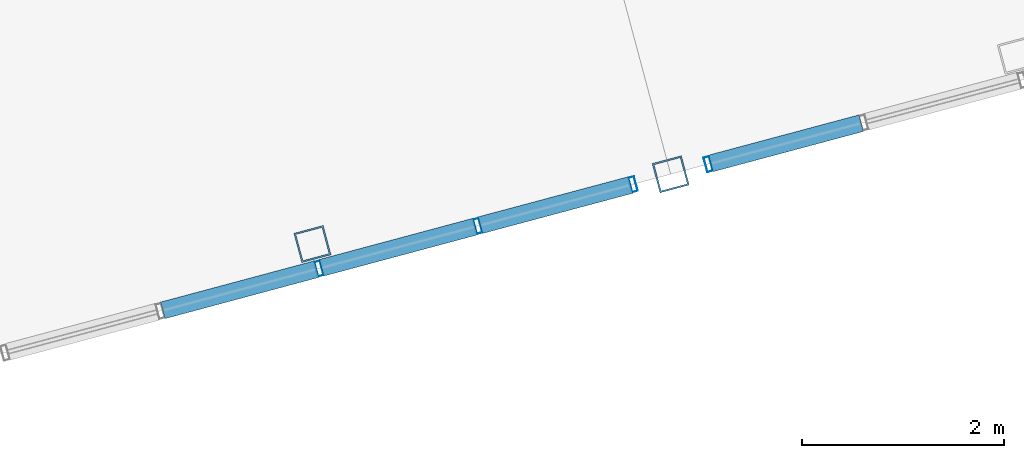
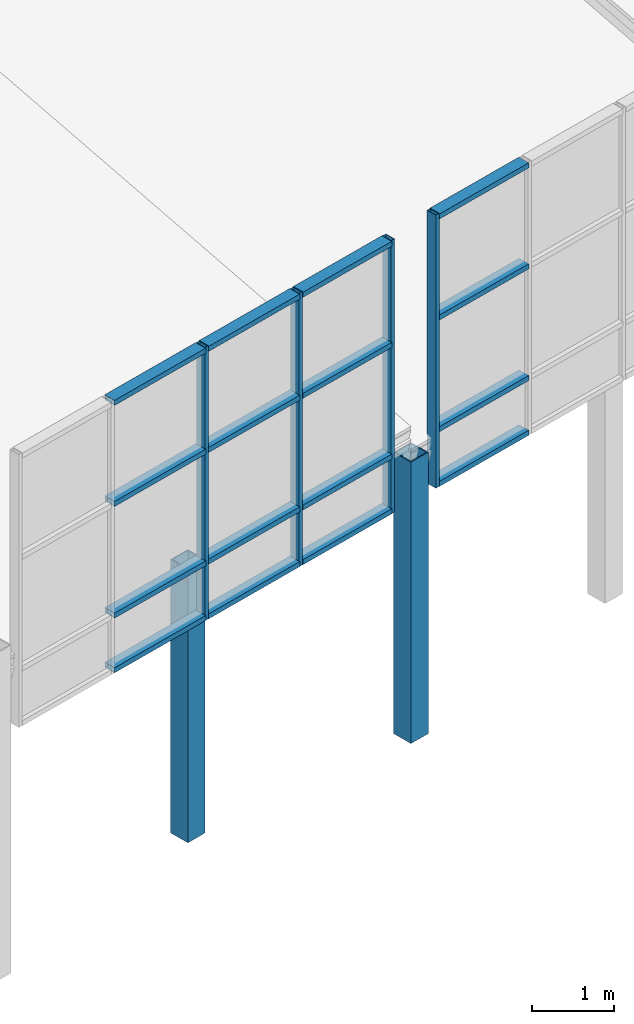
# One storey, part 5 of 28: 22 members, 2 elements without a shape of their own.
"""IFC4 building model written with IfcOpenShell, lengths in metres."""

from ifc_helpers import new_model, si_unit, direction, frame, origin, origin_2d, place, context, subcontext, project, spatial, hollow_rectangle, extrude, material, layer, layer_set, material_profile, profile_set, type_object, element, aggregate, save


model = new_model("IFC4")

# Units and contexts
model_context = context("Model", 3, precision=1e-05, world=origin(), true_north=direction((0.0, 1.0)))
body_context = subcontext(model_context, "Body", "Model", "MODEL_VIEW")
ifc_project = project(units=[si_unit("LENGTHUNIT", "METRE"), si_unit("AREAUNIT", "SQUARE_METRE"), si_unit("VOLUMEUNIT", "CUBIC_METRE"), si_unit("PLANEANGLEUNIT", "RADIAN"), si_unit("MASSUNIT", "GRAM", prefix="KILO")], contexts=[model_context])

# Site, building, storey
site_placement = place(None, origin())
site = spatial("IfcSite", under=ifc_project, at=site_placement, CompositionType="ELEMENT")
building_placement = place(site_placement, origin())
building = spatial("IfcBuilding", under=site, at=building_placement, Name="Ventoquebrada Cableway Terminal", CompositionType="ELEMENT")
storey_placement = place(building_placement, frame((0.0, 0.0, 23.39990234375)))
storey = spatial("IfcBuildingStorey", under=building, at=storey_placement, Name="RF", CompositionType="ELEMENT", Elevation=23.39990234375)

# Curtain wall, members
ifc_material_1 = material(Name="Anodized thermally-broken aluminium", Category="aluminium")
ifc_layer = layer(ifc_material_1, 0.159912109375)
ifc_layer_set = layer_set([ifc_layer], Name="Anodized thermally-broken aluminium")
curtain_wall_type = type_object("IfcCurtainWallType", Name="CW-T48", PredefinedType="USERDEFINED", material=ifc_layer_set)
curtain_wall_1_placement = place(storey_placement, origin())
curtain_wall_1 = element("IfcCurtainWall", 1, at=curtain_wall_1_placement, inside=storey, type_object=curtain_wall_type, Name="Unitised glazed curtain wall CW-152", ObjectType="UNITISED CURTAIN WALL", PredefinedType="USERDEFINED")
ifc_material_profile_1 = material_profile(ifc_material_1, hollow_rectangle(XDim=0.06005859375, YDim=0.14990234375, WallThickness=0.00390625, at=origin_2d()), Name="CW-MUL-60X150")
ifc_profile_set_1 = profile_set([ifc_material_profile_1], Name="Anodized thermally-broken aluminium")
member_type_1 = type_object("IfcMemberType", Name="CWM-03", PredefinedType="MULLION", material=ifc_profile_set_1)
member_1_placement = place(storey_placement, frame((62.409912109375, 72.5791015625, -0.06298828125), z_axis=(0.0, 0.0, 1.0), x_axis=(0.965894198369, 0.258937053273, 0.0)))
member_1 = element("IfcMember", 2, at=member_1_placement, type_object=member_type_1, Name="Curtain wall mullion FML-0739", PredefinedType="MULLION", context=body_context, shape_type="SweptSolid", body=[
    extrude(hollow_rectangle(XDim=0.06005859375, YDim=0.14990234375, WallThickness=0.00390625, at=origin_2d()), origin(), (0.0, 0.0, 1.0), 4.068115234375),
])
member_2_placement = place(storey_placement, frame((63.97998046875, 73.0, -0.06298828125), z_axis=(0.0, 0.0, 1.0), x_axis=(0.965894198369, 0.258937053273, 0.0)))
member_2 = element("IfcMember", 3, at=member_2_placement, type_object=member_type_1, Name="Curtain wall mullion FML-0740", PredefinedType="MULLION", context=body_context, shape_type="SweptSolid", body=[
    extrude(hollow_rectangle(XDim=0.06005859375, YDim=0.14990234375, WallThickness=0.00390625, at=origin_2d()), origin(), (0.0, 0.0, 1.0), 4.068115234375),
])
member_3_placement = place(storey_placement, frame((65.514892578125, 73.412109375, -0.06298828125), z_axis=(0.0, 0.0, 1.0), x_axis=(0.965894198369, 0.258937053273, 0.0)))
member_3 = element("IfcMember", 4, at=member_3_placement, type_object=member_type_1, Name="Curtain wall mullion FML-0741", PredefinedType="MULLION", context=body_context, shape_type="SweptSolid", body=[
    extrude(hollow_rectangle(XDim=0.06005859375, YDim=0.14990234375, WallThickness=0.00390625, at=origin_2d()), origin(), (0.0, 0.0, 1.0), 4.068115234375),
])

# Curtain wall, member
curtain_wall_2_placement = place(storey_placement, origin())
curtain_wall_2 = element("IfcCurtainWall", 5, at=curtain_wall_2_placement, inside=storey, type_object=curtain_wall_type, Name="Unitised glazed curtain wall CW-153", ObjectType="UNITISED CURTAIN WALL", PredefinedType="USERDEFINED")
member_4_placement = place(storey_placement, frame((66.259033203125, 73.611083984375, -0.06298828125), z_axis=(0.0, 0.0, 1.0), x_axis=(0.965943892913, 0.258751610128, 0.0)))
member_4 = element("IfcMember", 6, at=member_4_placement, type_object=member_type_1, Name="Curtain wall mullion FML-0742", PredefinedType="MULLION", context=body_context, shape_type="SweptSolid", body=[
    extrude(hollow_rectangle(XDim=0.06005859375, YDim=0.14990234375, WallThickness=0.00390625, at=origin_2d()), origin(), (0.0, 0.0, 1.0), 4.068115234375),
])

# Member
ifc_material_profile_2 = material_profile(ifc_material_1, hollow_rectangle(XDim=0.074951171875, YDim=0.169921875, WallThickness=0.00439453125, at=origin_2d()), Name="CW-TRN-75X170")
ifc_profile_set_2 = profile_set([ifc_material_profile_2], Name="Anodized thermally-broken aluminium")
member_type_2 = type_object("IfcMemberType", Name="CWT-03", PredefinedType="USERDEFINED", material=ifc_profile_set_2)
member_5_placement = place(storey_placement, frame((60.864990234375, 72.1650390625, -0.02001953125), z_axis=(0.965860816082, 0.259061544731, 0.0), x_axis=(0.0, 0.0, 1.0)))
member_5 = element("IfcMember", 7, at=member_5_placement, type_object=member_type_2, Name="Curtain wall transom FTR-2144", ObjectType="TRANSOM", PredefinedType="USERDEFINED", context=body_context, shape_type="SweptSolid", body=[
    extrude(hollow_rectangle(XDim=0.074951171875, YDim=0.169921875, WallThickness=0.00439453125, at=origin_2d()), origin(), (0.0, 0.0, 1.0), 1.57470703125),
])

member_6_placement = place(storey_placement, frame((60.864990234375, 72.1650390625, 0.795166015625), z_axis=(0.965860816082, 0.259061544731, 0.0), x_axis=(0.0, 0.0, 1.0)))
member_6 = element("IfcMember", 8, at=member_6_placement, type_object=member_type_2, Name="Curtain wall transom FTR-2145", ObjectType="TRANSOM", PredefinedType="USERDEFINED", context=body_context, shape_type="SweptSolid", body=[
    extrude(hollow_rectangle(XDim=0.074951171875, YDim=0.169921875, WallThickness=0.00439453125, at=origin_2d()), origin(), (0.0, 0.0, 1.0), 1.57470703125),
])

member_7_placement = place(storey_placement, frame((60.864990234375, 72.1650390625, 2.458984375), z_axis=(0.965860816082, 0.259061544731, 0.0), x_axis=(0.0, 0.0, 1.0)))
member_7 = element("IfcMember", 9, at=member_7_placement, type_object=member_type_2, Name="Curtain wall transom FTR-2146", ObjectType="TRANSOM", PredefinedType="USERDEFINED", context=body_context, shape_type="SweptSolid", body=[
    extrude(hollow_rectangle(XDim=0.074951171875, YDim=0.169921875, WallThickness=0.00439453125, at=origin_2d()), origin(), (0.0, 0.0, 1.0), 1.57470703125),
])

member_8_placement = place(storey_placement, frame((60.864990234375, 72.1650390625, 3.965087890625), z_axis=(0.965860816082, 0.259061544731, 0.0), x_axis=(0.0, 0.0, 1.0)))
member_8 = element("IfcMember", 10, at=member_8_placement, type_object=member_type_2, Name="Curtain wall transom FTR-2147", ObjectType="TRANSOM", PredefinedType="USERDEFINED", context=body_context, shape_type="SweptSolid", body=[
    extrude(hollow_rectangle(XDim=0.074951171875, YDim=0.169921875, WallThickness=0.00439453125, at=origin_2d()), origin(), (0.0, 0.0, 1.0), 1.57470703125),
])

member_9_placement = place(storey_placement, frame((62.43408203125, 72.5859375, -0.02001953125), z_axis=(0.965860816082, 0.259061544731, 0.0), x_axis=(0.0, 0.0, 1.0)))
member_9 = element("IfcMember", 11, at=member_9_placement, type_object=member_type_2, Name="Curtain wall transom FTR-2148", ObjectType="TRANSOM", PredefinedType="USERDEFINED", context=body_context, shape_type="SweptSolid", body=[
    extrude(hollow_rectangle(XDim=0.074951171875, YDim=0.169921875, WallThickness=0.00439453125, at=origin_2d()), origin(), (0.0, 0.0, 1.0), 1.57470703125),
])

member_10_placement = place(storey_placement, frame((62.43408203125, 72.5859375, 0.795166015625), z_axis=(0.965860816082, 0.259061544731, 0.0), x_axis=(0.0, 0.0, 1.0)))
member_10 = element("IfcMember", 12, at=member_10_placement, type_object=member_type_2, Name="Curtain wall transom FTR-2149", ObjectType="TRANSOM", PredefinedType="USERDEFINED", context=body_context, shape_type="SweptSolid", body=[
    extrude(hollow_rectangle(XDim=0.074951171875, YDim=0.169921875, WallThickness=0.00439453125, at=origin_2d()), origin(), (0.0, 0.0, 1.0), 1.57470703125),
])

member_11_placement = place(storey_placement, frame((62.43408203125, 72.5859375, 2.458984375), z_axis=(0.965860816082, 0.259061544731, 0.0), x_axis=(0.0, 0.0, 1.0)))
member_11 = element("IfcMember", 13, at=member_11_placement, type_object=member_type_2, Name="Curtain wall transom FTR-2150", ObjectType="TRANSOM", PredefinedType="USERDEFINED", context=body_context, shape_type="SweptSolid", body=[
    extrude(hollow_rectangle(XDim=0.074951171875, YDim=0.169921875, WallThickness=0.00439453125, at=origin_2d()), origin(), (0.0, 0.0, 1.0), 1.57470703125),
])

member_12_placement = place(storey_placement, frame((62.43408203125, 72.5859375, 3.965087890625), z_axis=(0.965860816082, 0.259061544731, 0.0), x_axis=(0.0, 0.0, 1.0)))
member_12 = element("IfcMember", 14, at=member_12_placement, type_object=member_type_2, Name="Curtain wall transom FTR-2151", ObjectType="TRANSOM", PredefinedType="USERDEFINED", context=body_context, shape_type="SweptSolid", body=[
    extrude(hollow_rectangle(XDim=0.074951171875, YDim=0.169921875, WallThickness=0.00439453125, at=origin_2d()), origin(), (0.0, 0.0, 1.0), 1.57470703125),
])

member_13_placement = place(storey_placement, frame((64.00390625, 73.007080078125, -0.02001953125), z_axis=(0.966008188998, 0.258511467422, 0.0), x_axis=(0.0, 0.0, 1.0)))
member_13 = element("IfcMember", 15, at=member_13_placement, type_object=member_type_2, Name="Curtain wall transom FTR-2152", ObjectType="TRANSOM", PredefinedType="USERDEFINED", context=body_context, shape_type="SweptSolid", body=[
    extrude(hollow_rectangle(XDim=0.074951171875, YDim=0.169921875, WallThickness=0.00439453125, at=origin_2d()), origin(), (0.0, 0.0, 1.0), 1.539306640625),
])

member_14_placement = place(storey_placement, frame((64.00390625, 73.007080078125, 0.795166015625), z_axis=(0.966008188998, 0.258511467422, 0.0), x_axis=(0.0, 0.0, 1.0)))
member_14 = element("IfcMember", 16, at=member_14_placement, type_object=member_type_2, Name="Curtain wall transom FTR-2153", ObjectType="TRANSOM", PredefinedType="USERDEFINED", context=body_context, shape_type="SweptSolid", body=[
    extrude(hollow_rectangle(XDim=0.074951171875, YDim=0.169921875, WallThickness=0.00439453125, at=origin_2d()), origin(), (0.0, 0.0, 1.0), 1.539306640625),
])

member_15_placement = place(storey_placement, frame((64.00390625, 73.007080078125, 2.458984375), z_axis=(0.966008188998, 0.258511467422, 0.0), x_axis=(0.0, 0.0, 1.0)))
member_15 = element("IfcMember", 17, at=member_15_placement, type_object=member_type_2, Name="Curtain wall transom FTR-2154", ObjectType="TRANSOM", PredefinedType="USERDEFINED", context=body_context, shape_type="SweptSolid", body=[
    extrude(hollow_rectangle(XDim=0.074951171875, YDim=0.169921875, WallThickness=0.00439453125, at=origin_2d()), origin(), (0.0, 0.0, 1.0), 1.539306640625),
])

member_16_placement = place(storey_placement, frame((64.00390625, 73.007080078125, 3.965087890625), z_axis=(0.966008188998, 0.258511467422, 0.0), x_axis=(0.0, 0.0, 1.0)))
member_16 = element("IfcMember", 18, at=member_16_placement, type_object=member_type_2, Name="Curtain wall transom FTR-2155", ObjectType="TRANSOM", PredefinedType="USERDEFINED", context=body_context, shape_type="SweptSolid", body=[
    extrude(hollow_rectangle(XDim=0.074951171875, YDim=0.169921875, WallThickness=0.00439453125, at=origin_2d()), origin(), (0.0, 0.0, 1.0), 1.539306640625),
])

aggregate(curtain_wall_1, [member_1, member_2, member_3, member_5, member_6, member_7, member_8, member_9, member_10, member_11, member_12, member_13, member_14, member_15, member_16])

member_17_placement = place(storey_placement, frame((66.282958984375, 73.617919921875, -0.02001953125), z_axis=(0.966010976588, 0.258501050503, 0.0), x_axis=(0.0, 0.0, 1.0)))
member_17 = element("IfcMember", 19, at=member_17_placement, type_object=member_type_2, Name="Curtain wall transom FTR-2156", ObjectType="TRANSOM", PredefinedType="USERDEFINED", context=body_context, shape_type="SweptSolid", body=[
    extrude(hollow_rectangle(XDim=0.074951171875, YDim=0.169921875, WallThickness=0.00439453125, at=origin_2d()), origin(), (0.0, 0.0, 1.0), 1.540283203125),
])

member_18_placement = place(storey_placement, frame((66.282958984375, 73.617919921875, 0.795166015625), z_axis=(0.966010976588, 0.258501050503, 0.0), x_axis=(0.0, 0.0, 1.0)))
member_18 = element("IfcMember", 20, at=member_18_placement, type_object=member_type_2, Name="Curtain wall transom FTR-2157", ObjectType="TRANSOM", PredefinedType="USERDEFINED", context=body_context, shape_type="SweptSolid", body=[
    extrude(hollow_rectangle(XDim=0.074951171875, YDim=0.169921875, WallThickness=0.00439453125, at=origin_2d()), origin(), (0.0, 0.0, 1.0), 1.540283203125),
])

member_19_placement = place(storey_placement, frame((66.282958984375, 73.617919921875, 2.458984375), z_axis=(0.966010976588, 0.258501050503, 0.0), x_axis=(0.0, 0.0, 1.0)))
member_19 = element("IfcMember", 21, at=member_19_placement, type_object=member_type_2, Name="Curtain wall transom FTR-2158", ObjectType="TRANSOM", PredefinedType="USERDEFINED", context=body_context, shape_type="SweptSolid", body=[
    extrude(hollow_rectangle(XDim=0.074951171875, YDim=0.169921875, WallThickness=0.00439453125, at=origin_2d()), origin(), (0.0, 0.0, 1.0), 1.540283203125),
])

member_20_placement = place(storey_placement, frame((66.282958984375, 73.617919921875, 3.965087890625), z_axis=(0.966010976588, 0.258501050503, 0.0), x_axis=(0.0, 0.0, 1.0)))
member_20 = element("IfcMember", 22, at=member_20_placement, type_object=member_type_2, Name="Curtain wall transom FTR-2159", ObjectType="TRANSOM", PredefinedType="USERDEFINED", context=body_context, shape_type="SweptSolid", body=[
    extrude(hollow_rectangle(XDim=0.074951171875, YDim=0.169921875, WallThickness=0.00439453125, at=origin_2d()), origin(), (0.0, 0.0, 1.0), 1.540283203125),
])

aggregate(curtain_wall_2, [member_4, member_17, member_18, member_19, member_20])

# Members
ifc_material_2 = material(Name="Steel ASTM A500 Grade C", Category="steel")
ifc_material_profile_3 = material_profile(ifc_material_2, hollow_rectangle(XDim=0.300048828125, YDim=0.300048828125, WallThickness=0.01611328125, at=origin_2d()), Name="HSS300X300X16")
ifc_profile_set_3 = profile_set([ifc_material_profile_3], Name="Steel ASTM A500 Grade C")
member_type_3 = type_object("IfcMemberType", Name="PST-GS01", PredefinedType="STRUT", material=ifc_profile_set_3)
member_21_placement = place(storey_placement, frame((62.344970703125, 72.821044921875, -3.39990234375), z_axis=(0.0, 0.0, 1.0), x_axis=(0.965925826289, 0.258819045103, 0.0)))
element("IfcMember", 23, at=member_21_placement, inside=storey, type_object=member_type_3, Name="Gridshell eaves support post PS-0447", PredefinedType="STRUT", context=body_context, shape_type="SweptSolid", body=[
    extrude(hollow_rectangle(XDim=0.300048828125, YDim=0.300048828125, WallThickness=0.01611328125, at=origin_2d()), origin(), (0.0, 0.0, 1.0), 4.075927734375),
])
ifc_material_profile_4 = material_profile(ifc_material_2, hollow_rectangle(XDim=0.300048828125, YDim=0.300048828125, WallThickness=0.01611328125, at=origin_2d()), Name="HSS300X300X16")
ifc_profile_set_4 = profile_set([ifc_material_profile_4], Name="Steel ASTM A500 Grade C")
member_type_4 = type_object("IfcMemberType", Name="STR-VS01", PredefinedType="STRUT", material=ifc_profile_set_4)
member_22_placement = place(storey_placement, frame((65.886962890625, 73.510986328125, -3.579833984375), z_axis=(0.0, 0.0, 1.0), x_axis=(0.965925826289, 0.258819045103, 0.0)))
element("IfcMember", 24, at=member_22_placement, inside=storey, type_object=member_type_4, Name="Gridshell deck stand-off post GS-SP-0445", PredefinedType="STRUT", context=body_context, shape_type="SweptSolid", body=[
    extrude(hollow_rectangle(XDim=0.300048828125, YDim=0.300048828125, WallThickness=0.01611328125, at=origin_2d()), origin(), (0.0, 0.0, 1.0), 4.19384765625),
])

save(model, "model.ifc")
